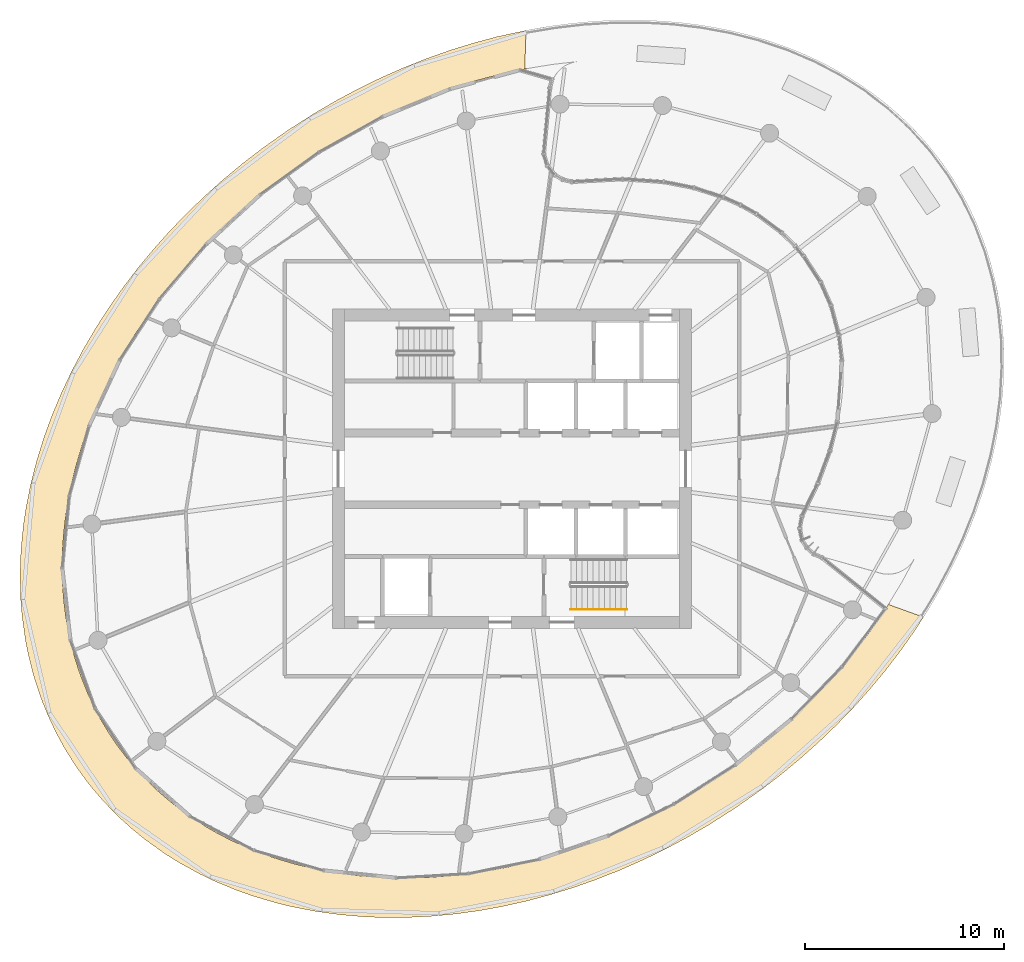
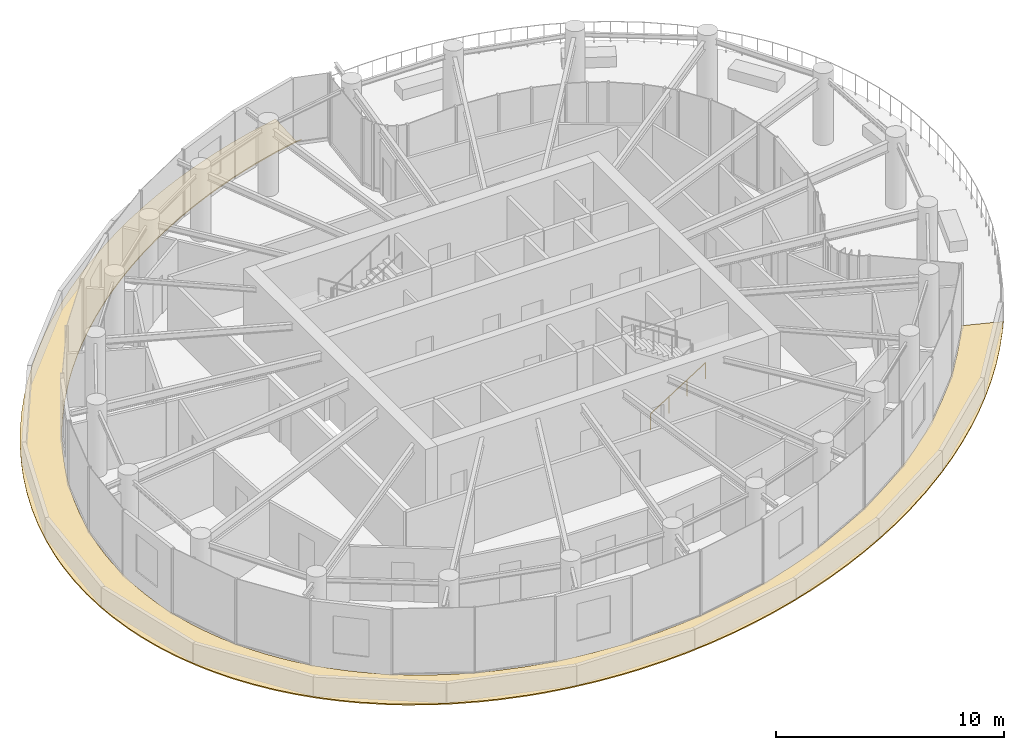
# One storey, part 16 of 19: 1 covering, 1 railing.
"""IFC4 building model written with IfcOpenShell, lengths in metres."""

import ifcopenshell
import ifcopenshell.guid

model = None  # the IFC model being written
_history = None  # IfcOwnerHistory: only IFC2X3 demands one
_inside = {}  # id of a spatial element -> (the spatial element, [elements in it])
_under = {}  # id of a project, library or spatial element -> (it, [spatial elements below it])
_declared = {}  # id of a project -> (the project, [libraries it declares])
_typed = {}  # id of a type object -> (the type object, [elements of that type])
_made_of = {}  # id of a material, layer set ... -> (it, [elements and type objects made of it])


def new_model(schema):
    """Start an empty IFC model of exactly this schema.

    Asked for "IFC4X3", IfcOpenShell would pick the latest addendum, in which some entities
    have other attributes; the version numbers below select the first issue.
    IFC2X3 requires an IfcOwnerHistory on every rooted entity: one is made here for all.
    """
    global model, _history
    if schema == "IFC4X3":
        model = ifcopenshell.file(schema_version=(4, 3, 0, 0))
    else:
        model = ifcopenshell.file(schema=schema)
    _inside.clear()
    _under.clear()
    _declared.clear()
    _typed.clear()
    _made_of.clear()
    _history = None
    if model.schema == "IFC2X3":
        org = make("IfcOrganization", Name="unknown")
        user = make(
            "IfcPersonAndOrganization",
            ThePerson=make("IfcPerson", FamilyName="unknown"),
            TheOrganization=org,
        )
        app = make(
            "IfcApplication",
            ApplicationDeveloper=org,
            Version="unknown",
            ApplicationFullName="unknown",
            ApplicationIdentifier="unknown",
        )
        _history = make(
            "IfcOwnerHistory",
            OwningUser=user,
            OwningApplication=app,
            ChangeAction="ADDED",
            CreationDate=0,
        )
    return model


def make(cls, **values):
    """One entity of the class cls with the attributes given. An attribute that is None is left unset."""
    return model.create_entity(
        cls, **{name: value for name, value in values.items() if value is not None}
    )


def rooted(cls, **values):
    """An entity with a GlobalId (a new one), such as an element, a storey or a relation."""
    return make(cls, GlobalId=ifcopenshell.guid.new(), OwnerHistory=_history, **values)


def si_unit(unit_type, name, prefix=None):
    """IfcSIUnit, for example si_unit("LENGTHUNIT", "METRE", prefix="MILLI")."""
    return make("IfcSIUnit", UnitType=unit_type, Prefix=prefix, Name=name)


def assignment(units):
    """IfcUnitAssignment: the units of a project."""
    return None if units is None else make("IfcUnitAssignment", Units=units)


def point(xyz):
    """IfcCartesianPoint."""
    return None if xyz is None else make("IfcCartesianPoint", Coordinates=xyz)


def direction(xyz):
    """IfcDirection."""
    return None if xyz is None else make("IfcDirection", DirectionRatios=xyz)


def frame(location, z_axis=None, x_axis=None):
    """IfcAxis2Placement3D, a coordinate frame: its origin and axes. An axis left out is left unset."""
    return make(
        "IfcAxis2Placement3D",
        Location=point(location),
        Axis=direction(z_axis),
        RefDirection=direction(x_axis),
    )


def frame_2d(location, x_axis=None):
    """IfcAxis2Placement2D, a coordinate frame in the plane: its origin and x axis."""
    return make(
        "IfcAxis2Placement2D", Location=point(location), RefDirection=direction(x_axis)
    )


def origin():
    """The frame at (0, 0, 0) with its axes left unset."""
    return frame((0.0, 0.0, 0.0))


def origin_2d():
    """The frame at (0, 0) in the plane with its x axis left unset."""
    return frame_2d((0.0, 0.0))


def place(relative_to, where):
    """IfcLocalPlacement: puts the frame where relative to a parent placement (None: the world)."""
    return make(
        "IfcLocalPlacement", PlacementRelTo=relative_to, RelativePlacement=where
    )


def context(
    kind, dimensions, precision=None, world=None, true_north=None, identifier=None
):
    """IfcGeometricRepresentationContext, for example the 3D "Model" context."""
    return make(
        "IfcGeometricRepresentationContext",
        ContextIdentifier=identifier,
        ContextType=kind,
        CoordinateSpaceDimension=dimensions,
        Precision=precision,
        WorldCoordinateSystem=world,
        TrueNorth=true_north,
    )


def subcontext(parent, identifier, kind, view, scale=None):
    """IfcGeometricRepresentationSubContext, for example "Body" below "Model"."""
    return make(
        "IfcGeometricRepresentationSubContext",
        ContextIdentifier=identifier,
        ContextType=kind,
        ParentContext=parent,
        TargetScale=scale,
        TargetView=view,
    )


def project(units=None, contexts=None):
    """IfcProject with its units and contexts."""
    return rooted(
        "IfcProject",
        Name="project",
        RepresentationContexts=contexts,
        UnitsInContext=assignment(units),
    )


def spatial(cls, under=None, at=None, **own):
    """A site, building, storey or space (cls), placed at a placement, below another one or the project."""
    s = rooted(cls, ObjectPlacement=at, **own)
    if under is not None:
        _under.setdefault(under.id(), (under, []))[1].append(s)
    return s


def point_list(points):
    """IfcCartesianPointList2D or 3D."""
    cls = (
        "IfcCartesianPointList2D" if len(points[0]) == 2 else "IfcCartesianPointList3D"
    )
    return make(cls, CoordList=points)


def line(*indices):
    """IfcLineIndex: a straight run through numbered points of an indexed curve."""
    return model.create_entity("IfcLineIndex", indices)


def indexed_curve(points, segments=None, self_intersect=None):
    """IfcIndexedPolyCurve: lines and arcs through numbered points (the first is 1)."""
    return make(
        "IfcIndexedPolyCurve",
        Points=point_list(points),
        Segments=segments,
        SelfIntersect=self_intersect,
    )


def profile(cls, at=None, kind="AREA", **sizes):
    """A parametric profile (cls). Its sizes go by their IFC names, for example OverallWidth=200.0."""
    return make(cls, ProfileType=kind, Position=at, **sizes)


def circle(**sizes):
    """IfcCircleProfileDef."""
    return profile("IfcCircleProfileDef", **sizes)


def outline(outer, holes=None, kind="AREA"):
    """IfcArbitraryClosedProfileDef: a profile drawn as a closed curve; with holes, ...WithVoids."""
    if holes is None:
        return make("IfcArbitraryClosedProfileDef", ProfileType=kind, OuterCurve=outer)
    return make(
        "IfcArbitraryProfileDefWithVoids",
        ProfileType=kind,
        OuterCurve=outer,
        InnerCurves=holes,
    )


def extrude(swept, where, along, depth):
    """IfcExtrudedAreaSolid: the profile swept, set in the frame where, extruded along a direction by depth."""
    return make(
        "IfcExtrudedAreaSolid",
        SweptArea=swept,
        Position=where,
        ExtrudedDirection=direction(along),
        Depth=depth,
    )


def shape(context_of_items, identifier, shape_type, items):
    """IfcShapeRepresentation: the items that make up one representation, for example the "Body"."""
    return make(
        "IfcShapeRepresentation",
        ContextOfItems=context_of_items,
        RepresentationIdentifier=identifier,
        RepresentationType=shape_type,
        Items=items,
    )


def material(Name=None, Category=None):
    """IfcMaterial."""
    return make("IfcMaterial", Name=Name, Category=Category)


def layer(
    of_material, thickness, ventilated=None, Name=None, Category=None, Priority=None
):
    """IfcMaterialLayer: one layer of a wall or slab, of a material (None: an air gap)."""
    return make(
        "IfcMaterialLayer",
        Material=of_material,
        LayerThickness=thickness,
        IsVentilated=ventilated,
        Name=Name,
        Category=Category,
        Priority=Priority,
    )


def layer_set(layers, Name=None):
    """IfcMaterialLayerSet."""
    return make("IfcMaterialLayerSet", MaterialLayers=layers, LayerSetName=Name)


def made_of(thing, what):
    """Note that an element or type object is made of a material, layer set ...; save() writes the relation."""
    if what is not None:
        _made_of.setdefault(what.id(), (what, []))[1].append(thing)
    return thing


def type_object(cls, material=None, **own):
    """A type object (cls), such as IfcWallType, which elements share."""
    return made_of(rooted(cls, **own), material)


def element(
    cls,
    number,
    at=None,
    inside=None,
    cuts=None,
    type_object=None,
    material=None,
    context=None,
    identifier="Body",
    shape_type=None,
    held_by="IfcProductDefinitionShape",
    body=None,
    shapes=None,
    **own,
):
    """One element of the class cls, such as IfcWall. Its Tag is "e" and its number.

    at: its placement. inside: the storey or other place that contains it. cuts: it is an
    opening in that element (IfcRelVoidsElement). A single representation is given by context,
    identifier, shape_type and body (its items); several are given by shapes. held_by: the class
    of the entity that holds the representations. save() writes the other relations.
    """
    e = rooted(cls, Tag="e%d" % number, ObjectPlacement=at, **own)
    if body is not None:
        shapes = [shape(context, identifier, shape_type, body)]
    if shapes is not None:
        e.Representation = make(held_by, Representations=shapes)
    if inside is not None:
        _inside.setdefault(inside.id(), (inside, []))[1].append(e)
    if cuts is not None:
        rooted(
            "IfcRelVoidsElement", RelatingBuildingElement=cuts, RelatedOpeningElement=e
        )
    if type_object is not None:
        _typed.setdefault(type_object.id(), (type_object, []))[1].append(e)
    return made_of(e, material)


def aggregate(whole, parts):
    """IfcRelAggregates: a whole, such as a stair, and the parts it consists of."""
    return rooted("IfcRelAggregates", RelatingObject=whole, RelatedObjects=parts)


def save(model, path):
    """Write the relations noted so far, then the file.

    IfcRelAggregates (storeys below a building ...), IfcRelContainedInSpatialStructure (elements
    in a storey), IfcRelDefinesByType, IfcRelAssociatesMaterial and IfcRelDeclares: one each for
    every whole, place, type object, material and project.
    """
    for whole, parts in _under.values():
        aggregate(whole, parts)
    for where, things in _inside.values():
        rooted(
            "IfcRelContainedInSpatialStructure",
            RelatedElements=things,
            RelatingStructure=where,
        )
    for kind, things in _typed.values():
        rooted("IfcRelDefinesByType", RelatedObjects=things, RelatingType=kind)
    for what, things in _made_of.values():
        rooted("IfcRelAssociatesMaterial", RelatedObjects=things, RelatingMaterial=what)
    for by, libraries in _declared.values():
        rooted("IfcRelDeclares", RelatingContext=by, RelatedDefinitions=libraries)
    model.write(path)


model = new_model("IFC4")

# Units and contexts
model_context = context("Model", 3, precision=1e-05, world=origin(), true_north=direction((0.0, 1.0)))
body_context = subcontext(model_context, "Body", "Model", "MODEL_VIEW")
ifc_project = project(units=[si_unit("LENGTHUNIT", "METRE"), si_unit("AREAUNIT", "SQUARE_METRE"), si_unit("VOLUMEUNIT", "CUBIC_METRE"), si_unit("PLANEANGLEUNIT", "RADIAN"), si_unit("MASSUNIT", "GRAM", prefix="KILO")], contexts=[model_context])

# Site, building, storey
site_placement = place(None, origin())
site = spatial("IfcSite", under=ifc_project, at=site_placement, CompositionType="ELEMENT")
building_placement = place(site_placement, origin())
building = spatial("IfcBuilding", under=site, at=building_placement, Name="Spindrift Exchange Tower", CompositionType="ELEMENT")
storey_placement = place(building_placement, frame((0.0, 0.0, 183.800048828125)))
storey = spatial("IfcBuildingStorey", under=building, at=storey_placement, Name="L44", CompositionType="ELEMENT", Elevation=183.800048828125)

# Covering
ifc_material_1 = material(Name="Bituminous roofing membrane with gravel ballast")
ifc_layer = layer(ifc_material_1, 0.06005859375)
ifc_layer_set = layer_set([ifc_layer], Name="LEDGE ROOFING 60")
covering_type = type_object("IfcCoveringType", Name="LEDGE ROOFING 60", PredefinedType="ROOFING", material=ifc_layer_set)
covering_placement = place(storey_placement, origin())
element("IfcCovering", 1, at=covering_placement, inside=storey, type_object=covering_type, Name="L44 Ledge Roofing 1", PredefinedType="ROOFING", context=body_context, shape_type="SweptSolid", body=[
    extrude(outline(indexed_curve([(72.8583984375, 40.923828125), (72.1904296875, 39.8896484375), (71.4814453125, 38.8837890625), (70.7333984375, 37.90625), (69.947265625, 36.9599609375), (69.1259765625, 36.04296875), (68.26953125, 35.158203125), (67.3818359375, 34.3056640625), (66.4638671875, 33.486328125), (65.5166015625, 32.69921875), (64.5419921875, 31.9482421875), (63.201171875, 31.001953125), (61.8173828125, 30.12109375), (60.751953125, 29.50390625), (59.6650390625, 28.92578125), (58.55859375, 28.3876953125), (57.4326171875, 27.890625), (56.2890625, 27.435546875), (55.1279296875, 27.0244140625), (53.9541015625, 26.6591796875), (52.7646484375, 26.33984375), (51.5634765625, 26.0693359375), (50.3525390625, 25.8486328125), (49.134765625, 25.6806640625), (47.908203125, 25.56640625), (46.6796875, 25.5078125), (45.44921875, 25.5078125), (44.6279296875, 25.5419921875), (43.4013671875, 25.64453125), (42.18359375, 25.8115234375), (40.974609375, 26.044921875), (40.177734375, 26.2392578125), (38.998046875, 26.5888671875), (38.22265625, 26.8623046875), (37.0869140625, 27.3330078125), (36.3466796875, 27.6884765625), (35.26953125, 28.2822265625), (34.57421875, 28.7197265625), (33.576171875, 29.4375), (32.939453125, 29.95703125), (32.33203125, 30.505859375), (32.0380859375, 30.79296875), (31.47265625, 31.388671875), (30.939453125, 32.01171875), (30.685546875, 32.3330078125), (30.2021484375, 32.998046875), (29.7548828125, 33.685546875), (29.544921875, 34.0380859375), (29.1533203125, 34.7578125), (28.798828125, 35.4990234375), (28.4833984375, 36.2548828125), (28.33984375, 36.6396484375), (28.08203125, 37.419921875), (27.9677734375, 37.8134765625), (27.7685546875, 38.6083984375), (27.607421875, 39.4140625), (27.4375, 40.6328125), (27.3701171875, 41.451171875), (27.3359375, 42.6806640625), (27.380859375, 43.91015625), (27.5, 45.134765625), (27.619140625, 45.947265625), (27.8544921875, 47.1552734375), (28.1552734375, 48.34765625), (28.517578125, 49.5244140625), (28.9384765625, 50.6806640625), (29.4140625, 51.8154296875), (29.94140625, 52.927734375), (30.5185546875, 54.0146484375), (31.1416015625, 55.076171875), (31.8095703125, 56.1103515625), (32.5185546875, 57.1162109375), (33.2666015625, 58.09375), (34.052734375, 59.0400390625), (34.8740234375, 59.95703125), (35.73046875, 60.841796875), (36.6181640625, 61.6943359375), (37.5361328125, 62.513671875), (38.4833984375, 63.30078125), (39.4580078125, 64.0517578125), (40.798828125, 64.998046875), (42.1826171875, 65.87890625), (43.248046875, 66.49609375), (44.3349609375, 67.07421875), (45.44140625, 67.6123046875), (46.5673828125, 68.109375), (47.7109375, 68.564453125), (48.8720703125, 68.9755859375), (50.046875, 69.3408203125), (51.2353515625, 69.66015625), (52.7255859375, 69.9833984375), (52.703125, 69.9658203125), (52.638671875, 68.1044921875), (52.6640625, 68.0595703125), (52.697265625, 68.0537109375), (52.912109375, 68.08984375), (52.15625, 67.9453125), (51.4248046875, 67.7802734375), (50.337890625, 67.49609375), (49.6201171875, 67.2822265625), (48.9072265625, 67.05078125), (47.8505859375, 66.66796875), (47.154296875, 66.3916015625), (46.123046875, 65.9443359375), (45.1103515625, 65.458984375), (44.1142578125, 64.9375), (43.4619140625, 64.5693359375), (42.4990234375, 63.9892578125), (41.55859375, 63.375), (40.640625, 62.7265625), (39.74609375, 62.046875), (39.1630859375, 61.5751953125), (38.3115234375, 60.8427734375), (37.4873046875, 60.0791015625), (36.69140625, 59.2861328125), (36.1767578125, 58.740234375), (35.4326171875, 57.8994140625), (34.9541015625, 57.322265625), (34.2646484375, 56.4345703125), (33.8251953125, 55.828125), (33.197265625, 54.896484375), (32.7998046875, 54.2607421875), (32.2392578125, 53.287109375), (31.8876953125, 52.625), (31.400390625, 51.61328125), (31.1005859375, 50.92578125), (30.693359375, 49.87890625), (30.4501953125, 49.169921875), (30.130859375, 48.0927734375), (29.9501953125, 47.3662109375), (29.7275390625, 46.2646484375), (29.6142578125, 45.5234375), (29.5302734375, 44.779296875), (29.474609375, 44.0322265625), (29.451171875, 42.9091796875), (29.474609375, 42.16015625), (29.53125, 41.4130859375), (29.6220703125, 40.669921875), (29.7470703125, 39.9306640625), (29.9072265625, 39.1982421875), (30.1025390625, 38.4755859375), (30.3330078125, 37.7626953125), (30.7451171875, 36.7177734375), (31.064453125, 36.0400390625), (31.4189453125, 35.3798828125), (31.806640625, 34.7392578125), (32.2275390625, 34.119140625), (32.6796875, 33.5224609375), (33.1630859375, 32.9501953125), (33.67578125, 32.4033203125), (34.21484375, 31.8837890625), (34.7802734375, 31.392578125), (35.3701171875, 30.9296875), (35.9814453125, 30.49609375), (36.6123046875, 30.0927734375), (37.26171875, 29.71875), (37.927734375, 29.3759765625), (38.953125, 28.9169921875), (40.005859375, 28.525390625), (41.0810546875, 28.19921875), (42.173828125, 27.9375), (43.2802734375, 27.7373046875), (44.39453125, 27.59765625), (45.515625, 27.5166015625), (46.6396484375, 27.4912109375), (47.7626953125, 27.51953125), (48.8837890625, 27.599609375), (50.0, 27.73046875), (51.109375, 27.9091796875), (51.84375, 28.0546875), (52.5751953125, 28.2197265625), (53.662109375, 28.50390625), (55.0927734375, 28.94921875), (56.1494140625, 29.33203125), (57.53515625, 29.90234375), (58.5546875, 30.375), (59.8857421875, 31.0625), (61.181640625, 31.8134765625), (62.1298828125, 32.4169921875), (63.359375, 33.2734375), (64.25390625, 33.9541015625), (65.4072265625, 34.91015625), (66.2412109375, 35.6630859375), (67.30859375, 36.7138671875), (68.0751953125, 37.537109375), (68.80859375, 38.3876953125), (69.509765625, 39.2666015625), (69.95703125, 39.8671875), (70.388671875, 40.4794921875), (70.935546875, 41.3154296875), (70.890625, 41.220703125), (70.923828125, 41.1806640625), (72.5947265625, 40.578125), (72.6376953125, 40.58203125), (72.9619140625, 41.099609375)], segments=[line(1, 2, 3, 4, 5, 6, 7, 8, 9, 10, 11, 12, 13, 14, 15, 16, 17, 18, 19, 20, 21, 22, 23, 24, 25, 26, 27, 28, 29, 30, 31, 32, 33, 34, 35, 36, 37, 38, 39, 40, 41, 42, 43, 44, 45, 46, 47, 48, 49, 50, 51, 52, 53, 54, 55, 56, 57, 58, 59, 60, 61, 62, 63, 64, 65, 66, 67, 68, 69, 70, 71, 72, 73, 74, 75, 76, 77, 78, 79, 80, 81, 82, 83, 84, 85, 86, 87, 88, 89, 90, 91, 92, 93, 94, 95, 96, 97, 98, 99, 100, 101, 102, 103, 104, 105, 106, 107, 108, 109, 110, 111, 112, 113, 114, 115, 116, 117, 118, 119, 120, 121, 122, 123, 124, 125, 126, 127, 128, 129, 130, 131, 132, 133, 134, 135, 136, 137, 138, 139, 140, 141, 142, 143, 144, 145, 146, 147, 148, 149, 150, 151, 152, 153, 154, 155, 156, 157, 158, 159, 160, 161, 162, 163, 164, 165, 166, 167, 168, 169, 170, 171, 172, 173, 174, 175, 176, 177, 178, 179, 180, 181, 182, 183, 184, 185, 186, 187, 188, 189, 190, 191, 192, 193, 194, 195, 1)], self_intersect=False)), origin(), (0.0, 0.0, 1.0), 0.06005859375),
])

# Railing
ifc_material_2 = material(Name="Steel tubular handrail", Category="steel")
railing_type = type_object("IfcRailingType", Name="RL-STAIR-HAND", PredefinedType="HANDRAIL", material=ifc_material_2)
railing_placement = place(storey_placement, frame((54.949951171875, 40.949951171875, 0.17724609375)))
element("IfcRailing", 2, at=railing_placement, inside=storey, type_object=railing_type, Name="L44 ST2 stair handrail 1", PredefinedType="HANDRAIL", context=body_context, shape_type="SweptSolid", body=[
    extrude(circle(Radius=0.02392578125, at=origin_2d()), frame((0.0, 0.0, 0.8759765625), z_axis=(0.844908973607, 0.0, 0.534910110503), x_axis=(0.0, 1.0, 0.0)), (0.0, 0.0, 1.0), 3.31396484375),
    extrude(circle(Radius=0.02099609375, at=origin_2d()), origin(), (0.0, 0.0, 1.0), 0.851806640625),
    extrude(circle(Radius=0.02099609375, at=origin_2d()), frame((0.933349609375, 0.0, 0.5908203125)), (0.0, 0.0, 1.0), 0.851806640625),
    extrude(circle(Radius=0.02099609375, at=origin_2d()), frame((1.86669921875, 0.0, 1.181884765625)), (0.0, 0.0, 1.0), 0.851806640625),
    extrude(circle(Radius=0.02099609375, at=origin_2d()), frame((2.800048828125, 0.0, 1.772705078125)), (0.0, 0.0, 1.0), 0.851806640625),
])

save(model, "model.ifc")
